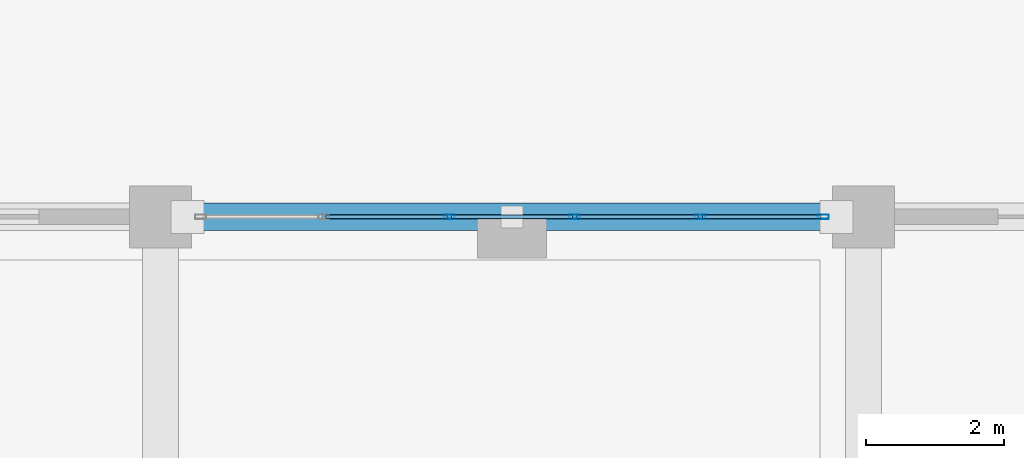
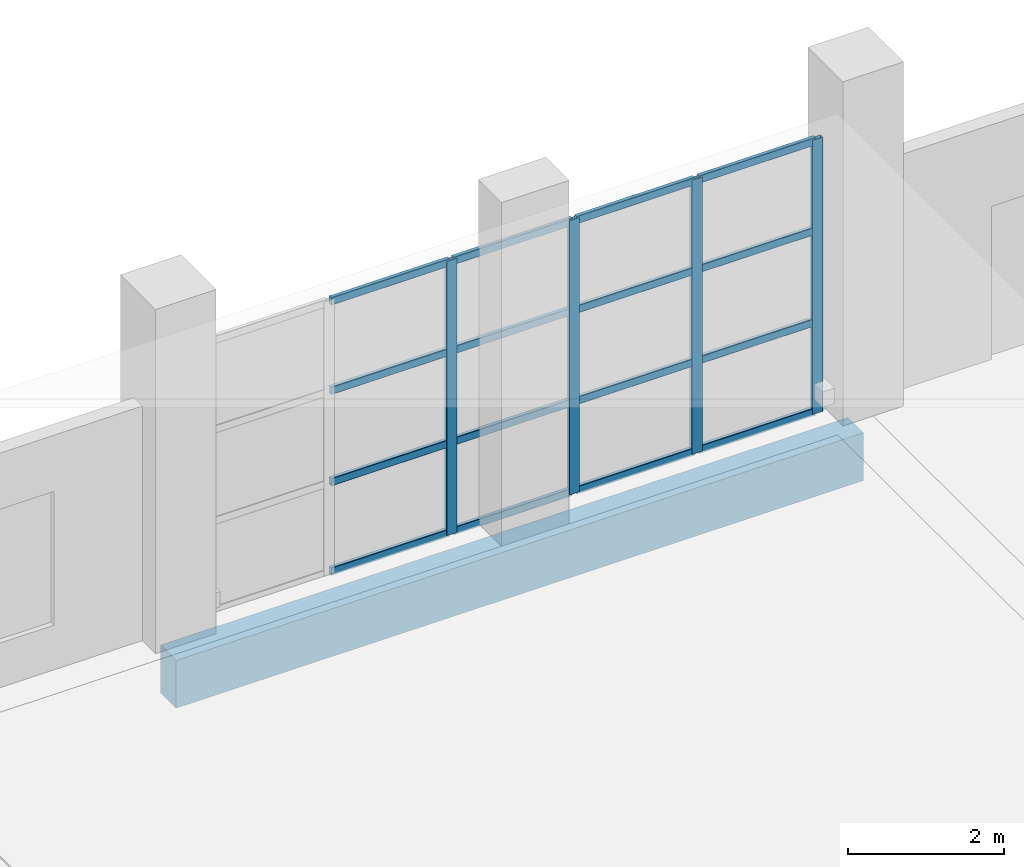
# One storey, part 70 of 124: 20 members, 1 beam, 1 element without a shape of its own.
"""IFC4 building model written with IfcOpenShell, lengths in metres."""

from ifc_helpers import new_model, si_unit, direction, frame, origin, origin_2d, place, context, subcontext, project, spatial, rectangle, hollow_rectangle, extrude, material, material_profile, profile_set, type_object, element, aggregate, save


model = new_model("IFC4")

# Units and contexts
model_context = context("Model", 3, precision=1e-05, world=origin(), true_north=direction((0.0, 1.0)))
body_context = subcontext(model_context, "Body", "Model", "MODEL_VIEW")
ifc_project = project(units=[si_unit("LENGTHUNIT", "METRE"), si_unit("AREAUNIT", "SQUARE_METRE"), si_unit("VOLUMEUNIT", "CUBIC_METRE"), si_unit("PLANEANGLEUNIT", "RADIAN"), si_unit("MASSUNIT", "GRAM", prefix="KILO")], contexts=[model_context])

# Site, building, storey
site_placement = place(None, origin())
site = spatial("IfcSite", under=ifc_project, at=site_placement, CompositionType="ELEMENT")
building_placement = place(site_placement, origin())
building = spatial("IfcBuilding", under=site, at=building_placement, Name="Brelvane Convention Centre", CompositionType="ELEMENT")
storey_placement = place(building_placement, origin())
storey = spatial("IfcBuildingStorey", under=building, at=storey_placement, Name="L00", CompositionType="ELEMENT", Elevation=0.0)

# Curtain wall, members
ifc_material_1 = material(Name="Anodised Aluminium Alloy 6063-T6", Category="aluminium")
curtain_wall_type = type_object("IfcCurtainWallType", Name="Curtain Wall CW-BOUL", PredefinedType="USERDEFINED", material=ifc_material_1)
curtain_wall_placement = place(storey_placement, origin())
curtain_wall = element("IfcCurtainWall", 1, at=curtain_wall_placement, inside=storey, type_object=curtain_wall_type, Name="Curtain Wall CW-BOUL L00-V4N-06", ObjectType="UNITISED", PredefinedType="USERDEFINED")
ifc_material_2 = material(Name="Anodised Aluminium Alloy 6063-T6", Category="aluminium")
ifc_material_profile_1 = material_profile(ifc_material_2, hollow_rectangle(XDim=0.06494140625, YDim=0.159912109375, WallThickness=0.00390625, InnerFilletRadius=0.00390625, OuterFilletRadius=0.008056640625, at=origin_2d()), Name="ALU-M 160x65x4.0")
ifc_profile_set_1 = profile_set([ifc_material_profile_1], Name="Anodised Aluminium Alloy 6063-T6")
member_type_1 = type_object("IfcMemberType", Name="Curtain Mullion CW-M3", PredefinedType="MULLION", material=ifc_profile_set_1)
member_1_placement = place(storey_placement, frame((55.18994140625, 144.0, 0.0), z_axis=(0.0, 0.0, 1.0), x_axis=(0.0, 1.0, 0.0)))
member_1 = element("IfcMember", 2, at=member_1_placement, type_object=member_type_1, Name="CW-BOUL mullion 3", PredefinedType="MULLION", context=body_context, shape_type="SweptSolid", body=[
    extrude(hollow_rectangle(XDim=0.06494140625, YDim=0.159912109375, WallThickness=0.00390625, InnerFilletRadius=0.00390625, OuterFilletRadius=0.008056640625, at=origin_2d()), origin(), (0.0, 0.0, 1.0), 4.300048828125),
])
member_2_placement = place(storey_placement, frame((57.010009765625, 144.0, 0.0), z_axis=(0.0, 0.0, 1.0), x_axis=(0.0, 1.0, 0.0)))
member_2 = element("IfcMember", 3, at=member_2_placement, type_object=member_type_1, Name="CW-BOUL mullion 4", PredefinedType="MULLION", context=body_context, shape_type="SweptSolid", body=[
    extrude(hollow_rectangle(XDim=0.06494140625, YDim=0.159912109375, WallThickness=0.00390625, InnerFilletRadius=0.00390625, OuterFilletRadius=0.008056640625, at=origin_2d()), origin(), (0.0, 0.0, 1.0), 4.300048828125),
])
member_3_placement = place(storey_placement, frame((58.830078125, 144.0, 0.0), z_axis=(0.0, 0.0, 1.0), x_axis=(0.0, 1.0, 0.0)))
member_3 = element("IfcMember", 4, at=member_3_placement, type_object=member_type_1, Name="CW-BOUL mullion 5", PredefinedType="MULLION", context=body_context, shape_type="SweptSolid", body=[
    extrude(hollow_rectangle(XDim=0.06494140625, YDim=0.159912109375, WallThickness=0.00390625, InnerFilletRadius=0.00390625, OuterFilletRadius=0.008056640625, at=origin_2d()), origin(), (0.0, 0.0, 1.0), 4.300048828125),
])
member_4_placement = place(storey_placement, frame((60.617431640625, 144.0, 0.0), z_axis=(0.0, 0.0, 1.0), x_axis=(0.0, 1.0, 0.0)))
member_4 = element("IfcMember", 5, at=member_4_placement, type_object=member_type_1, Name="CW-BOUL mullion 6", PredefinedType="MULLION", context=body_context, shape_type="SweptSolid", body=[
    extrude(hollow_rectangle(XDim=0.06494140625, YDim=0.159912109375, WallThickness=0.00390625, InnerFilletRadius=0.00390625, OuterFilletRadius=0.008056640625, at=origin_2d()), origin(), (0.0, 0.0, 1.0), 4.300048828125),
])
ifc_material_3 = material(Name="Anodised Aluminium Alloy 6063-T6", Category="aluminium")
ifc_material_profile_2 = material_profile(ifc_material_3, hollow_rectangle(XDim=0.06005859375, YDim=0.1201171875, WallThickness=0.00390625, InnerFilletRadius=0.00390625, OuterFilletRadius=0.008056640625, at=origin_2d()), Name="ALU-T 120x60x4.0")
ifc_profile_set_2 = profile_set([ifc_material_profile_2], Name="Anodised Aluminium Alloy 6063-T6")
member_type_2 = type_object("IfcMemberType", Name="Curtain Transom CW-T3", PredefinedType="USERDEFINED", material=ifc_profile_set_2)
member_5_placement = place(storey_placement, frame((53.402587890625, 144.0, 0.030029296875), z_axis=(1.0, 0.0, 0.0), x_axis=(0.0, 1.0, 0.0)))
member_5 = element("IfcMember", 6, at=member_5_placement, type_object=member_type_2, Name="CW-BOUL transom 2.1", ObjectType="TRANSOM", PredefinedType="USERDEFINED", context=body_context, shape_type="SweptSolid", body=[
    extrude(hollow_rectangle(XDim=0.06005859375, YDim=0.1201171875, WallThickness=0.00390625, InnerFilletRadius=0.00390625, OuterFilletRadius=0.008056640625, at=origin_2d()), origin(), (0.0, 0.0, 1.0), 1.7548828125),
])
member_6_placement = place(storey_placement, frame((53.402587890625, 144.0, 1.433349609375), z_axis=(1.0, 0.0, 0.0), x_axis=(0.0, 1.0, 0.0)))
member_6 = element("IfcMember", 7, at=member_6_placement, type_object=member_type_2, Name="CW-BOUL transom 2.2", ObjectType="TRANSOM", PredefinedType="USERDEFINED", context=body_context, shape_type="SweptSolid", body=[
    extrude(hollow_rectangle(XDim=0.06005859375, YDim=0.1201171875, WallThickness=0.00390625, InnerFilletRadius=0.00390625, OuterFilletRadius=0.008056640625, at=origin_2d()), origin(), (0.0, 0.0, 1.0), 1.7548828125),
])
member_7_placement = place(storey_placement, frame((53.402587890625, 144.0, 2.86669921875), z_axis=(1.0, 0.0, 0.0), x_axis=(0.0, 1.0, 0.0)))
member_7 = element("IfcMember", 8, at=member_7_placement, type_object=member_type_2, Name="CW-BOUL transom 2.3", ObjectType="TRANSOM", PredefinedType="USERDEFINED", context=body_context, shape_type="SweptSolid", body=[
    extrude(hollow_rectangle(XDim=0.06005859375, YDim=0.1201171875, WallThickness=0.00390625, InnerFilletRadius=0.00390625, OuterFilletRadius=0.008056640625, at=origin_2d()), origin(), (0.0, 0.0, 1.0), 1.7548828125),
])
member_8_placement = place(storey_placement, frame((53.402587890625, 144.0, 4.27001953125), z_axis=(1.0, 0.0, 0.0), x_axis=(0.0, 1.0, 0.0)))
member_8 = element("IfcMember", 9, at=member_8_placement, type_object=member_type_2, Name="CW-BOUL transom 2.4", ObjectType="TRANSOM", PredefinedType="USERDEFINED", context=body_context, shape_type="SweptSolid", body=[
    extrude(hollow_rectangle(XDim=0.06005859375, YDim=0.1201171875, WallThickness=0.00390625, InnerFilletRadius=0.00390625, OuterFilletRadius=0.008056640625, at=origin_2d()), origin(), (0.0, 0.0, 1.0), 1.7548828125),
])
member_9_placement = place(storey_placement, frame((55.222412109375, 144.0, 0.030029296875), z_axis=(1.0, 0.0, 0.0), x_axis=(0.0, 1.0, 0.0)))
member_9 = element("IfcMember", 10, at=member_9_placement, type_object=member_type_2, Name="CW-BOUL transom 3.1", ObjectType="TRANSOM", PredefinedType="USERDEFINED", context=body_context, shape_type="SweptSolid", body=[
    extrude(hollow_rectangle(XDim=0.06005859375, YDim=0.1201171875, WallThickness=0.00390625, InnerFilletRadius=0.00390625, OuterFilletRadius=0.008056640625, at=origin_2d()), origin(), (0.0, 0.0, 1.0), 1.755126953125),
])
member_10_placement = place(storey_placement, frame((55.222412109375, 144.0, 1.433349609375), z_axis=(1.0, 0.0, 0.0), x_axis=(0.0, 1.0, 0.0)))
member_10 = element("IfcMember", 11, at=member_10_placement, type_object=member_type_2, Name="CW-BOUL transom 3.2", ObjectType="TRANSOM", PredefinedType="USERDEFINED", context=body_context, shape_type="SweptSolid", body=[
    extrude(hollow_rectangle(XDim=0.06005859375, YDim=0.1201171875, WallThickness=0.00390625, InnerFilletRadius=0.00390625, OuterFilletRadius=0.008056640625, at=origin_2d()), origin(), (0.0, 0.0, 1.0), 1.755126953125),
])
member_11_placement = place(storey_placement, frame((55.222412109375, 144.0, 2.86669921875), z_axis=(1.0, 0.0, 0.0), x_axis=(0.0, 1.0, 0.0)))
member_11 = element("IfcMember", 12, at=member_11_placement, type_object=member_type_2, Name="CW-BOUL transom 3.3", ObjectType="TRANSOM", PredefinedType="USERDEFINED", context=body_context, shape_type="SweptSolid", body=[
    extrude(hollow_rectangle(XDim=0.06005859375, YDim=0.1201171875, WallThickness=0.00390625, InnerFilletRadius=0.00390625, OuterFilletRadius=0.008056640625, at=origin_2d()), origin(), (0.0, 0.0, 1.0), 1.755126953125),
])
member_12_placement = place(storey_placement, frame((55.222412109375, 144.0, 4.27001953125), z_axis=(1.0, 0.0, 0.0), x_axis=(0.0, 1.0, 0.0)))
member_12 = element("IfcMember", 13, at=member_12_placement, type_object=member_type_2, Name="CW-BOUL transom 3.4", ObjectType="TRANSOM", PredefinedType="USERDEFINED", context=body_context, shape_type="SweptSolid", body=[
    extrude(hollow_rectangle(XDim=0.06005859375, YDim=0.1201171875, WallThickness=0.00390625, InnerFilletRadius=0.00390625, OuterFilletRadius=0.008056640625, at=origin_2d()), origin(), (0.0, 0.0, 1.0), 1.755126953125),
])
member_13_placement = place(storey_placement, frame((57.04248046875, 144.0, 0.030029296875), z_axis=(1.0, 0.0, 0.0), x_axis=(0.0, 1.0, 0.0)))
member_13 = element("IfcMember", 14, at=member_13_placement, type_object=member_type_2, Name="CW-BOUL transom 4.1", ObjectType="TRANSOM", PredefinedType="USERDEFINED", context=body_context, shape_type="SweptSolid", body=[
    extrude(hollow_rectangle(XDim=0.06005859375, YDim=0.1201171875, WallThickness=0.00390625, InnerFilletRadius=0.00390625, OuterFilletRadius=0.008056640625, at=origin_2d()), origin(), (0.0, 0.0, 1.0), 1.755126953125),
])
member_14_placement = place(storey_placement, frame((57.04248046875, 144.0, 1.433349609375), z_axis=(1.0, 0.0, 0.0), x_axis=(0.0, 1.0, 0.0)))
member_14 = element("IfcMember", 15, at=member_14_placement, type_object=member_type_2, Name="CW-BOUL transom 4.2", ObjectType="TRANSOM", PredefinedType="USERDEFINED", context=body_context, shape_type="SweptSolid", body=[
    extrude(hollow_rectangle(XDim=0.06005859375, YDim=0.1201171875, WallThickness=0.00390625, InnerFilletRadius=0.00390625, OuterFilletRadius=0.008056640625, at=origin_2d()), origin(), (0.0, 0.0, 1.0), 1.755126953125),
])
member_15_placement = place(storey_placement, frame((57.04248046875, 144.0, 2.86669921875), z_axis=(1.0, 0.0, 0.0), x_axis=(0.0, 1.0, 0.0)))
member_15 = element("IfcMember", 16, at=member_15_placement, type_object=member_type_2, Name="CW-BOUL transom 4.3", ObjectType="TRANSOM", PredefinedType="USERDEFINED", context=body_context, shape_type="SweptSolid", body=[
    extrude(hollow_rectangle(XDim=0.06005859375, YDim=0.1201171875, WallThickness=0.00390625, InnerFilletRadius=0.00390625, OuterFilletRadius=0.008056640625, at=origin_2d()), origin(), (0.0, 0.0, 1.0), 1.755126953125),
])
member_16_placement = place(storey_placement, frame((57.04248046875, 144.0, 4.27001953125), z_axis=(1.0, 0.0, 0.0), x_axis=(0.0, 1.0, 0.0)))
member_16 = element("IfcMember", 17, at=member_16_placement, type_object=member_type_2, Name="CW-BOUL transom 4.4", ObjectType="TRANSOM", PredefinedType="USERDEFINED", context=body_context, shape_type="SweptSolid", body=[
    extrude(hollow_rectangle(XDim=0.06005859375, YDim=0.1201171875, WallThickness=0.00390625, InnerFilletRadius=0.00390625, OuterFilletRadius=0.008056640625, at=origin_2d()), origin(), (0.0, 0.0, 1.0), 1.755126953125),
])
member_17_placement = place(storey_placement, frame((58.862548828125, 144.0, 0.030029296875), z_axis=(1.0, 0.0, 0.0), x_axis=(0.0, 1.0, 0.0)))
member_17 = element("IfcMember", 18, at=member_17_placement, type_object=member_type_2, Name="CW-BOUL transom 5.1", ObjectType="TRANSOM", PredefinedType="USERDEFINED", context=body_context, shape_type="SweptSolid", body=[
    extrude(hollow_rectangle(XDim=0.06005859375, YDim=0.1201171875, WallThickness=0.00390625, InnerFilletRadius=0.00390625, OuterFilletRadius=0.008056640625, at=origin_2d()), origin(), (0.0, 0.0, 1.0), 1.722412109375),
])
member_18_placement = place(storey_placement, frame((58.862548828125, 144.0, 1.433349609375), z_axis=(1.0, 0.0, 0.0), x_axis=(0.0, 1.0, 0.0)))
member_18 = element("IfcMember", 19, at=member_18_placement, type_object=member_type_2, Name="CW-BOUL transom 5.2", ObjectType="TRANSOM", PredefinedType="USERDEFINED", context=body_context, shape_type="SweptSolid", body=[
    extrude(hollow_rectangle(XDim=0.06005859375, YDim=0.1201171875, WallThickness=0.00390625, InnerFilletRadius=0.00390625, OuterFilletRadius=0.008056640625, at=origin_2d()), origin(), (0.0, 0.0, 1.0), 1.722412109375),
])
member_19_placement = place(storey_placement, frame((58.862548828125, 144.0, 2.86669921875), z_axis=(1.0, 0.0, 0.0), x_axis=(0.0, 1.0, 0.0)))
member_19 = element("IfcMember", 20, at=member_19_placement, type_object=member_type_2, Name="CW-BOUL transom 5.3", ObjectType="TRANSOM", PredefinedType="USERDEFINED", context=body_context, shape_type="SweptSolid", body=[
    extrude(hollow_rectangle(XDim=0.06005859375, YDim=0.1201171875, WallThickness=0.00390625, InnerFilletRadius=0.00390625, OuterFilletRadius=0.008056640625, at=origin_2d()), origin(), (0.0, 0.0, 1.0), 1.722412109375),
])
member_20_placement = place(storey_placement, frame((58.862548828125, 144.0, 4.27001953125), z_axis=(1.0, 0.0, 0.0), x_axis=(0.0, 1.0, 0.0)))
member_20 = element("IfcMember", 21, at=member_20_placement, type_object=member_type_2, Name="CW-BOUL transom 5.4", ObjectType="TRANSOM", PredefinedType="USERDEFINED", context=body_context, shape_type="SweptSolid", body=[
    extrude(hollow_rectangle(XDim=0.06005859375, YDim=0.1201171875, WallThickness=0.00390625, InnerFilletRadius=0.00390625, OuterFilletRadius=0.008056640625, at=origin_2d()), origin(), (0.0, 0.0, 1.0), 1.722412109375),
])
aggregate(curtain_wall, [member_1, member_2, member_3, member_4, member_5, member_6, member_7, member_8, member_9, member_10, member_11, member_12, member_13, member_14, member_15, member_16, member_17, member_18, member_19, member_20])

# Beam
ifc_material_4 = material(Name="Concrete M40", Category="concrete")
ifc_material_profile_3 = material_profile(ifc_material_4, rectangle(XDim=0.39990234375, YDim=0.75, at=origin_2d()), Name="RC 400x750")
ifc_profile_set_3 = profile_set([ifc_material_profile_3], Name="Concrete M40")
beam_type = type_object("IfcBeamType", Name="RC Spandrel SP-RC1 (RC 400x750)", PredefinedType="SPANDREL", material=ifc_profile_set_3)
beam_placement = place(storey_placement, frame((51.0, 144.0, -0.7900390625), z_axis=(1.0, 0.0, 0.0), x_axis=(0.0, 1.0, 0.0)))
element("IfcBeam", 22, at=beam_placement, inside=storey, type_object=beam_type, Name="L00 Beam 6-7/Q", PredefinedType="SPANDREL", context=body_context, shape_type="SweptSolid", body=[
    extrude(rectangle(XDim=0.39990234375, YDim=0.75, at=origin_2d()), origin(), (0.0, 0.0, 1.0), 10.199951171875),
])

save(model, "model.ifc")
